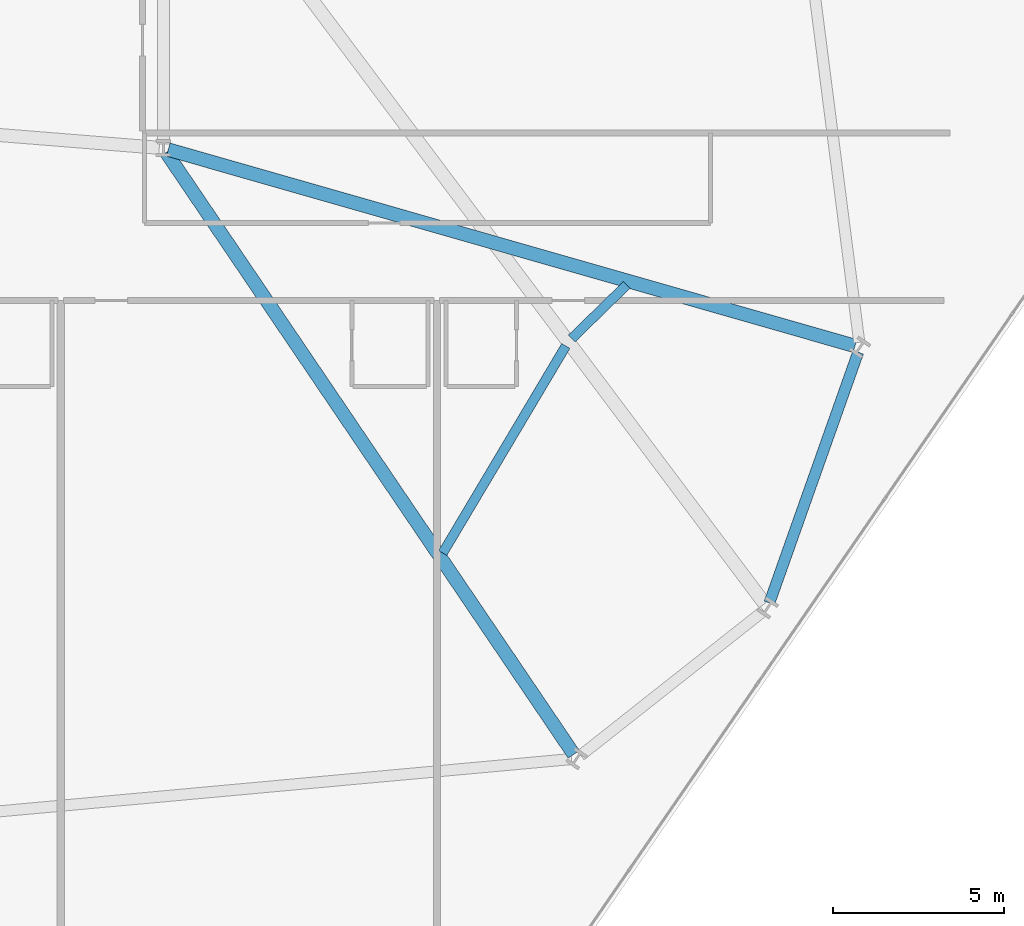
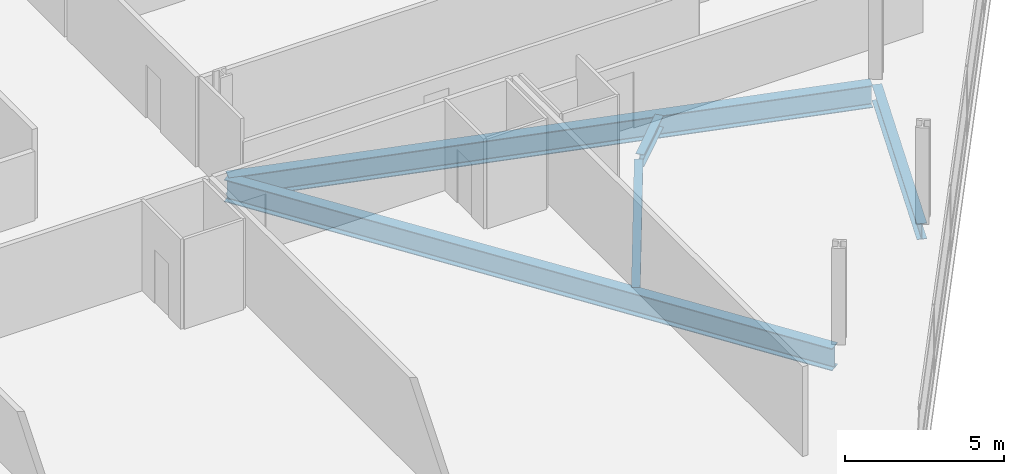
# One storey, part 10 of 26: 5 beams.
"""IFC4 building model written with IfcOpenShell, lengths in metres."""

from ifc_helpers import new_model, si_unit, direction, frame, origin, origin_2d, place, context, subcontext, project, spatial, i_section, extrude, material, material_profile, profile_set, type_object, element, save


model = new_model("IFC4")

# Units and contexts
model_context = context("Model", 3, precision=1e-05, world=origin(), true_north=direction((0.0, 1.0)))
body_context = subcontext(model_context, "Body", "Model", "MODEL_VIEW")
ifc_project = project(units=[si_unit("LENGTHUNIT", "METRE"), si_unit("AREAUNIT", "SQUARE_METRE"), si_unit("VOLUMEUNIT", "CUBIC_METRE"), si_unit("PLANEANGLEUNIT", "RADIAN"), si_unit("MASSUNIT", "GRAM", prefix="KILO")], contexts=[model_context])

# Site, building, storey
site_placement = place(None, origin())
site = spatial("IfcSite", under=ifc_project, at=site_placement, CompositionType="ELEMENT")
building_placement = place(site_placement, origin())
building = spatial("IfcBuilding", under=site, at=building_placement, Name="Varnelok Gate Tower", CompositionType="ELEMENT")
storey_placement = place(building_placement, frame((0.0, 0.0, 45.5)))
storey = spatial("IfcBuildingStorey", under=building, at=storey_placement, Name="L10", CompositionType="ELEMENT", Elevation=45.5)

# Beams
ifc_material = material(Name="Structural Steel ASTM A992 Grade 50", Category="steel")
ifc_material_profile_1 = material_profile(ifc_material, i_section(OverallWidth=0.280029296875, OverallDepth=0.462890625, WebThickness=0.0107421875, FlangeThickness=0.017333984375, FilletRadius=0.014892578125, at=origin_2d()), Name="W18X76")
ifc_profile_set_1 = profile_set([ifc_material_profile_1], Name="Structural Steel ASTM A992 Grade 50")
beam_type_1 = type_object("IfcBeamType", Name="BM-JST-W18X76", PredefinedType="JOIST", material=ifc_profile_set_1)
beam_1_placement = place(storey_placement, frame((62.16845703125, 6.962646484375, -0.4814453125), z_axis=(0.511024860255, 0.859565932434, 0.0), x_axis=(-0.859565932434, 0.511024860255, 0.0)))
element("IfcBeam", 1, at=beam_1_placement, inside=storey, type_object=beam_type_1, Name="L10 Sector Floor Joist 5", PredefinedType="JOIST", context=body_context, shape_type="SweptSolid", body=[
    extrude(i_section(OverallWidth=0.280029296875, OverallDepth=0.462890625, WebThickness=0.0107421875, FlangeThickness=0.017333984375, FilletRadius=0.014892578125, at=origin_2d()), origin(), (0.0, 0.0, 1.0), 7.04248046875),
])
beam_2_placement = place(storey_placement, frame((65.939208984375, 13.234130859375, -0.4814453125), z_axis=(0.716027335046, 0.698072242298, 0.0), x_axis=(-0.698072242298, 0.716027335046, 0.0)))
element("IfcBeam", 2, at=beam_2_placement, inside=storey, type_object=beam_type_1, Name="L10 Sector Floor Joist 6", PredefinedType="JOIST", context=body_context, shape_type="SweptSolid", body=[
    extrude(i_section(OverallWidth=0.280029296875, OverallDepth=0.462890625, WebThickness=0.0107421875, FlangeThickness=0.017333984375, FilletRadius=0.014892578125, at=origin_2d()), origin(), (0.0, 0.0, 1.0), 2.24365234375),
])
ifc_material_profile_2 = material_profile(ifc_material, i_section(OverallWidth=0.39892578125, OverallDepth=0.85498046875, WebThickness=0.018310546875, FlangeThickness=0.029296875, FilletRadius=0.02392578125, at=origin_2d()), Name="W33X201")
ifc_profile_set_2 = profile_set([ifc_material_profile_2], Name="Structural Steel ASTM A992 Grade 50")
beam_type_2 = type_object("IfcBeamType", Name="BM-PRI-W33X201", PredefinedType="BEAM", material=ifc_profile_set_2)
beam_3_placement = place(storey_placement, frame((54.083984375, 18.67578125, -0.677490234375), z_axis=(0.560684565433, -0.828029478995, 0.0), x_axis=(0.828029478995, 0.560684565433, 0.0)))
element("IfcBeam", 3, at=beam_3_placement, inside=storey, type_object=beam_type_2, Name="L10 Radial Floor Girder 6", PredefinedType="BEAM", context=body_context, shape_type="SweptSolid", body=[
    extrude(i_section(OverallWidth=0.39892578125, OverallDepth=0.85498046875, WebThickness=0.018310546875, FlangeThickness=0.029296875, FilletRadius=0.02392578125, at=origin_2d()), origin(), (0.0, 0.0, 1.0), 21.25390625),
])
beam_4_placement = place(storey_placement, frame((54.144287109375, 18.7587890625, -0.677490234375), z_axis=(0.961463485116, -0.274932658643, 0.0), x_axis=(0.274932658643, 0.961463485116, 0.0)))
element("IfcBeam", 4, at=beam_4_placement, inside=storey, type_object=beam_type_2, Name="L10 Radial Floor Girder 8", PredefinedType="BEAM", context=body_context, shape_type="SweptSolid", body=[
    extrude(i_section(OverallWidth=0.39892578125, OverallDepth=0.85498046875, WebThickness=0.018310546875, FlangeThickness=0.029296875, FilletRadius=0.02392578125, at=origin_2d()), origin(), (0.0, 0.0, 1.0), 20.883056640625),
])
ifc_material_profile_3 = material_profile(ifc_material, i_section(OverallWidth=0.323974609375, OverallDepth=0.611083984375, WebThickness=0.0126953125, FlangeThickness=0.01904296875, FilletRadius=0.01806640625, at=origin_2d()), Name="W24X104")
ifc_profile_set_3 = profile_set([ifc_material_profile_3], Name="Structural Steel ASTM A992 Grade 50")
beam_type_3 = type_object("IfcBeamType", Name="BM-SPN-W24X104", PredefinedType="SPANDREL", material=ifc_profile_set_3)
beam_5_placement = place(storey_placement, frame((71.72021484375, 5.50390625, -0.555419921875), z_axis=(0.333887238705, 0.942613023372, 0.0), x_axis=(-0.942613023372, 0.333887238705, 0.0)))
element("IfcBeam", 5, at=beam_5_placement, inside=storey, type_object=beam_type_3, Name="L10 Perimeter Spandrel Beam 7", PredefinedType="SPANDREL", context=body_context, shape_type="SweptSolid", body=[
    extrude(i_section(OverallWidth=0.323974609375, OverallDepth=0.611083984375, WebThickness=0.0126953125, FlangeThickness=0.01904296875, FilletRadius=0.01806640625, at=origin_2d()), origin(), (0.0, 0.0, 1.0), 7.777099609375),
])

save(model, "model.ifc")
